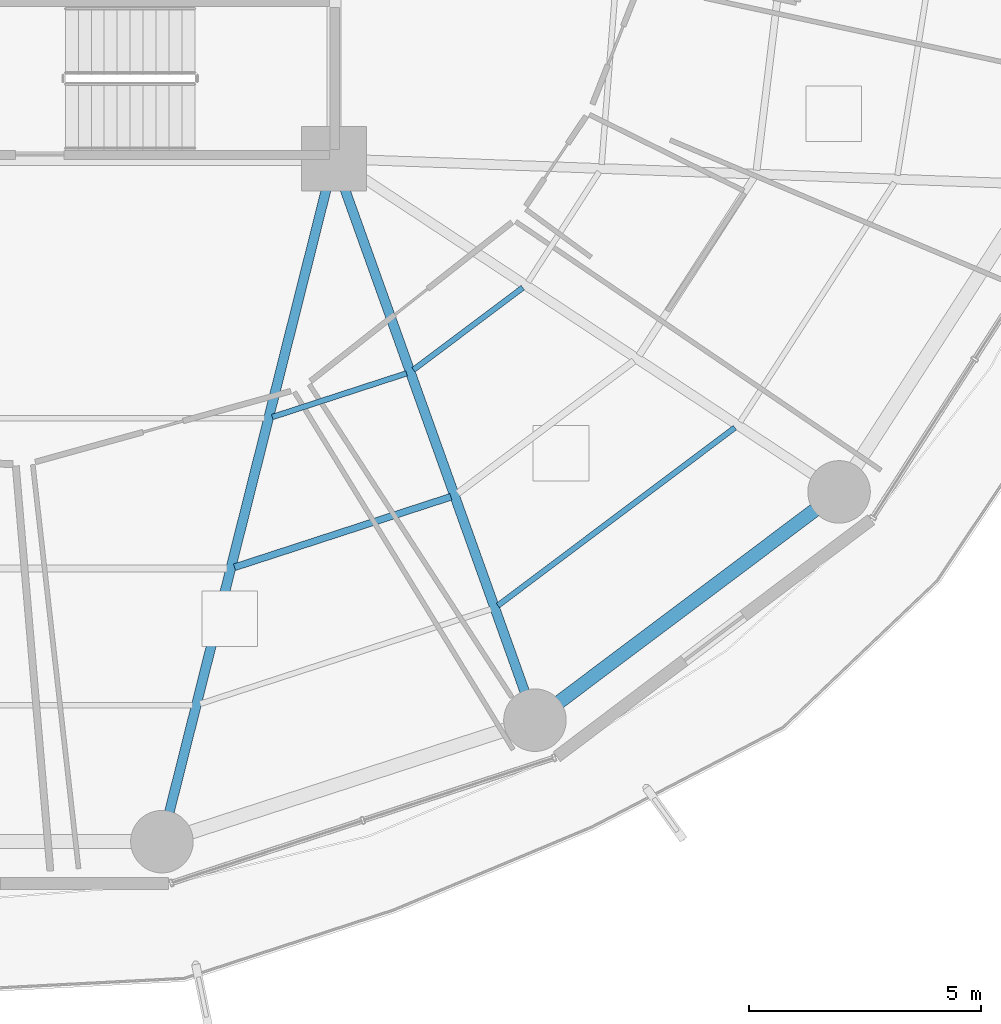
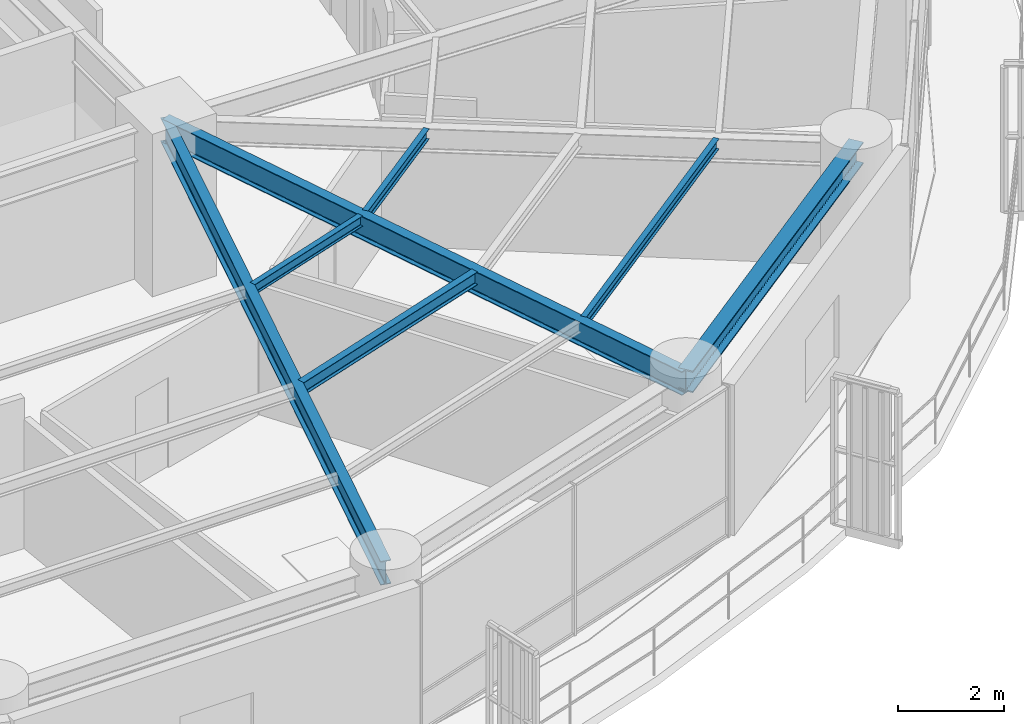
# One storey, part 9 of 33: 7 beams.
"""IFC4 building model written with IfcOpenShell, lengths in metres."""

from ifc_helpers import new_model, si_unit, direction, frame, origin, origin_2d, place, context, subcontext, project, spatial, i_section, extrude, material, material_profile, profile_set, type_object, element, save


model = new_model("IFC4")

# Units and contexts
model_context = context("Model", 3, precision=1e-05, world=origin(), true_north=direction((0.0, 1.0)))
body_context = subcontext(model_context, "Body", "Model", "MODEL_VIEW")
ifc_project = project(units=[si_unit("LENGTHUNIT", "METRE"), si_unit("AREAUNIT", "SQUARE_METRE"), si_unit("VOLUMEUNIT", "CUBIC_METRE"), si_unit("PLANEANGLEUNIT", "RADIAN"), si_unit("MASSUNIT", "GRAM", prefix="KILO")], contexts=[model_context])

# Site, building, storey
site_placement = place(None, origin())
site = spatial("IfcSite", under=ifc_project, at=site_placement, CompositionType="ELEMENT")
building_placement = place(site_placement, origin())
building = spatial("IfcBuilding", under=site, at=building_placement, Name="Kelanora Arch Commons", CompositionType="ELEMENT")
storey_placement = place(building_placement, frame((0.0, 0.0, 83.85009765625)))
storey = spatial("IfcBuildingStorey", under=building, at=storey_placement, Name="L21", CompositionType="ELEMENT", Elevation=83.85009765625)

# Beams
ifc_material = material(Name="Steel S355", Category="steel")
ifc_material_profile_1 = material_profile(ifc_material, i_section(OverallWidth=0.14990234375, OverallDepth=0.300048828125, WebThickness=0.007080078125, FlangeThickness=0.0107421875, FilletRadius=0.014892578125, at=origin_2d()), Name="IPE300")
ifc_profile_set_1 = profile_set([ifc_material_profile_1], Name="Steel S355")
beam_type_1 = type_object("IfcBeamType", Name="BM-JST-01", PredefinedType="JOIST", material=ifc_profile_set_1)
beam_1_placement = place(storey_placement, frame((79.852294921875, 42.1796875, 3.33984375), z_axis=(0.950857140254, 0.309629938521, 0.0), x_axis=(-0.309629938521, 0.950857140254, 0.0)))
element("IfcBeam", 1, at=beam_1_placement, inside=storey, type_object=beam_type_1, Name="Secondary Chord Joist BJB-28 L21", PredefinedType="JOIST", context=body_context, shape_type="SweptSolid", body=[
    extrude(i_section(OverallWidth=0.14990234375, OverallDepth=0.300048828125, WebThickness=0.007080078125, FlangeThickness=0.0107421875, FilletRadius=0.014892578125, at=origin_2d()), origin(), (0.0, 0.0, 1.0), 4.912353515625),
])
ifc_material_profile_2 = material_profile(ifc_material, i_section(OverallWidth=0.1201171875, OverallDepth=0.239990234375, WebThickness=0.006103515625, FlangeThickness=0.009765625, FilletRadius=0.014892578125, at=origin_2d()), Name="IPE240")
ifc_profile_set_2 = profile_set([ifc_material_profile_2], Name="Steel S355")
beam_type_2 = type_object("IfcBeamType", Name="BM-JST-02", PredefinedType="JOIST", material=ifc_profile_set_2)
beam_2_placement = place(storey_placement, frame((80.66943359375, 45.42333984375, 3.369873046875), z_axis=(0.950846758946, 0.309661817151, 0.0), x_axis=(-0.309661817151, 0.950846758946, 0.0)))
element("IfcBeam", 2, at=beam_2_placement, inside=storey, type_object=beam_type_2, Name="Secondary Chord Joist BJA-28 L21", PredefinedType="JOIST", context=body_context, shape_type="SweptSolid", body=[
    extrude(i_section(OverallWidth=0.1201171875, OverallDepth=0.239990234375, WebThickness=0.006103515625, FlangeThickness=0.009765625, FilletRadius=0.014892578125, at=origin_2d()), origin(), (0.0, 0.0, 1.0), 3.048828125),
])
beam_3_placement = place(storey_placement, frame((83.71728515625, 46.444580078125, 3.369873046875), z_axis=(0.799692034361, 0.600410401458, 0.0), x_axis=(-0.600410401458, 0.799692034361, 0.0)))
element("IfcBeam", 3, at=beam_3_placement, inside=storey, type_object=beam_type_2, Name="Secondary Chord Joist BJA-30 L21", PredefinedType="JOIST", context=body_context, shape_type="SweptSolid", body=[
    extrude(i_section(OverallWidth=0.1201171875, OverallDepth=0.239990234375, WebThickness=0.006103515625, FlangeThickness=0.009765625, FilletRadius=0.014892578125, at=origin_2d()), origin(), (0.0, 0.0, 1.0), 2.949951171875),
])
beam_4_placement = place(storey_placement, frame((85.5400390625, 41.353515625, 3.369873046875), z_axis=(0.799734335646, 0.600354055861, 0.0), x_axis=(-0.600354055861, 0.799734335646, 0.0)))
element("IfcBeam", 4, at=beam_4_placement, inside=storey, type_object=beam_type_2, Name="Secondary Chord Joist BJC-30 L21", PredefinedType="JOIST", context=body_context, shape_type="SweptSolid", body=[
    extrude(i_section(OverallWidth=0.1201171875, OverallDepth=0.239990234375, WebThickness=0.006103515625, FlangeThickness=0.009765625, FilletRadius=0.014892578125, at=origin_2d()), origin(), (0.0, 0.0, 1.0), 6.39794921875),
])
ifc_material_profile_3 = material_profile(ifc_material, i_section(OverallWidth=0.2099609375, OverallDepth=0.550048828125, WebThickness=0.010986328125, FlangeThickness=0.01708984375, FilletRadius=0.02392578125, at=origin_2d()), Name="IPE550")
ifc_profile_set_3 = profile_set([ifc_material_profile_3], Name="Steel S355")
beam_type_3 = type_object("IfcBeamType", Name="BM-RAD-Z2", PredefinedType="BEAM", material=ifc_profile_set_3)
beam_5_placement = place(storey_placement, frame((82.0, 51.0, 3.21484375), z_axis=(-0.244280647475, -0.969704576286, 0.0), x_axis=(0.969704576286, -0.244280647475, 0.0)))
element("IfcBeam", 5, at=beam_5_placement, inside=storey, type_object=beam_type_3, Name="Radial Floor Girder BR-28 L21", PredefinedType="BEAM", context=body_context, shape_type="SweptSolid", body=[
    extrude(i_section(OverallWidth=0.2099609375, OverallDepth=0.550048828125, WebThickness=0.010986328125, FlangeThickness=0.01708984375, FilletRadius=0.02392578125, at=origin_2d()), origin(), (0.0, 0.0, 1.0), 15.205322265625),
])
beam_6_placement = place(storey_placement, frame((82.0, 51.0, 3.21484375), z_axis=(0.337084640008, -0.941474346687, 0.0), x_axis=(0.941474346687, 0.337084640008, 0.0)))
element("IfcBeam", 6, at=beam_6_placement, inside=storey, type_object=beam_type_3, Name="Radial Floor Girder BR-30 L21", PredefinedType="BEAM", context=body_context, shape_type="SweptSolid", body=[
    extrude(i_section(OverallWidth=0.2099609375, OverallDepth=0.550048828125, WebThickness=0.010986328125, FlangeThickness=0.01708984375, FilletRadius=0.02392578125, at=origin_2d()), origin(), (0.0, 0.0, 1.0), 12.875244140625),
])
ifc_material_profile_4 = material_profile(ifc_material, i_section(OverallWidth=0.300048828125, OverallDepth=0.5, WebThickness=0.014404296875, FlangeThickness=0.028076171875, FilletRadius=0.027099609375, at=origin_2d()), Name="HEB500")
ifc_profile_set_4 = profile_set([ifc_material_profile_4], Name="Steel S355")
beam_type_4 = type_object("IfcBeamType", Name="BM-SPN-Z2", PredefinedType="SPANDREL", material=ifc_profile_set_4)
beam_7_placement = place(storey_placement, frame((86.340087890625, 38.878173828125, 3.239990234375), z_axis=(0.799735861602, 0.600352023123, 0.0), x_axis=(-0.600352023123, 0.799735861602, 0.0)))
element("IfcBeam", 7, at=beam_7_placement, inside=storey, type_object=beam_type_4, Name="Perimeter Spandrel Beam BS-30 L21", PredefinedType="SPANDREL", context=body_context, shape_type="SweptSolid", body=[
    extrude(i_section(OverallWidth=0.300048828125, OverallDepth=0.5, WebThickness=0.014404296875, FlangeThickness=0.028076171875, FilletRadius=0.027099609375, at=origin_2d()), origin(), (0.0, 0.0, 1.0), 8.210205078125),
])

save(model, "model.ifc")
